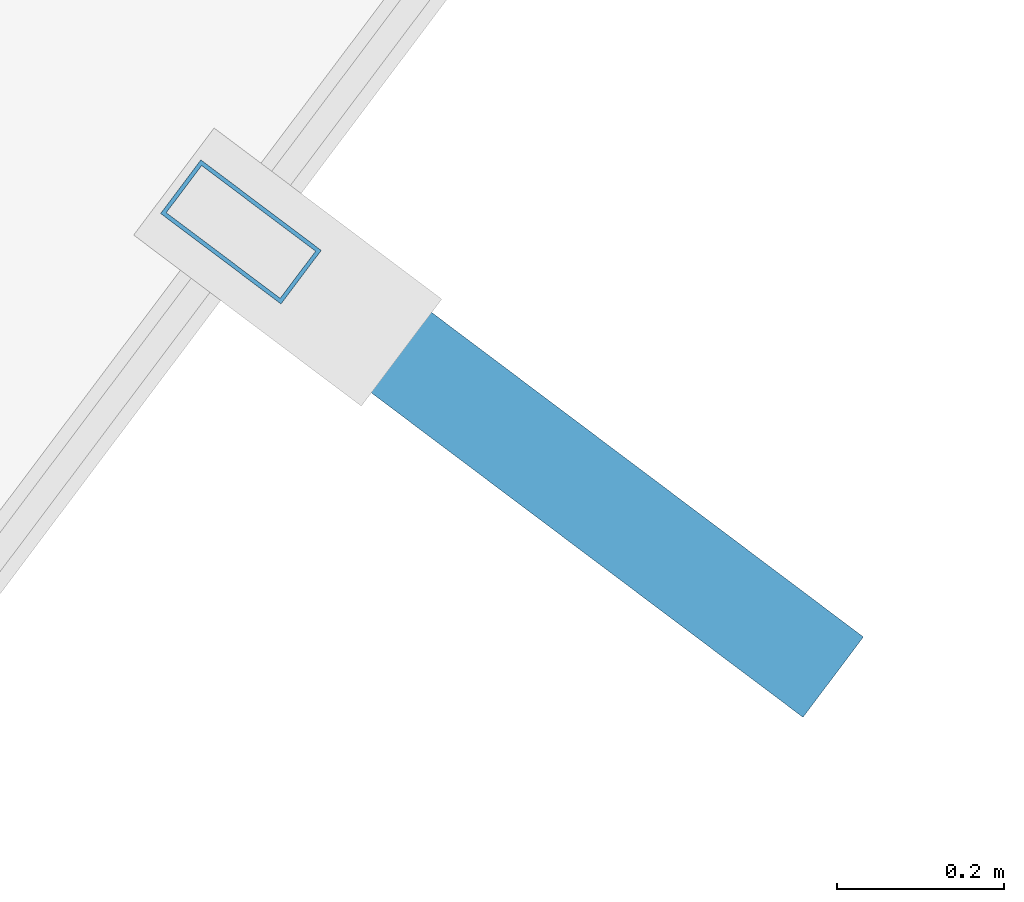
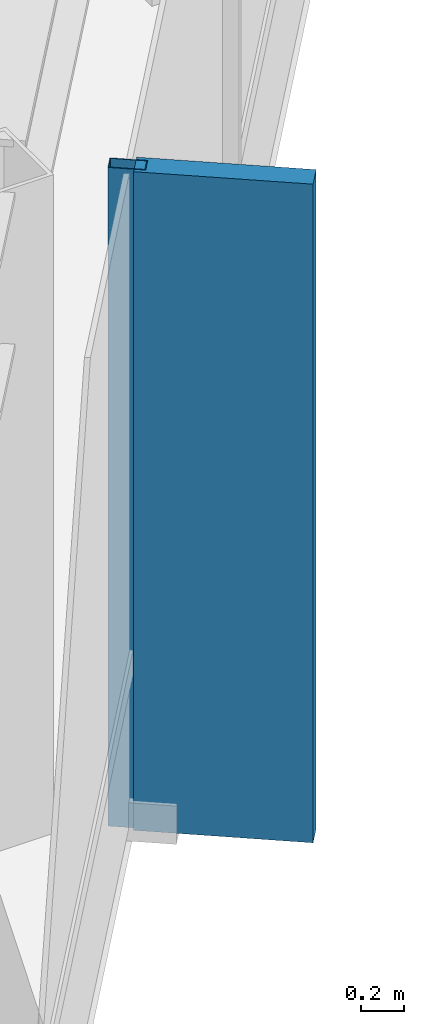
# One storey, part 14 of 21: 2 members, 1 element without a shape of its own.
"""IFC4 building model written with IfcOpenShell, lengths in metres."""

from ifc_helpers import new_model, si_unit, direction, frame, origin, origin_2d, place, context, subcontext, project, spatial, rectangle, hollow_rectangle, extrude, material, layer, layer_set, material_profile, profile_set, type_object, element, aggregate, save


model = new_model("IFC4")

# Units and contexts
model_context = context("Model", 3, precision=1e-05, world=origin(), true_north=direction((0.0, 1.0)))
body_context = subcontext(model_context, "Body", "Model", "MODEL_VIEW")
ifc_project = project(units=[si_unit("LENGTHUNIT", "METRE"), si_unit("AREAUNIT", "SQUARE_METRE"), si_unit("VOLUMEUNIT", "CUBIC_METRE"), si_unit("PLANEANGLEUNIT", "RADIAN"), si_unit("MASSUNIT", "GRAM", prefix="KILO")], contexts=[model_context])

# Site, building, storey
site_placement = place(None, origin())
site = spatial("IfcSite", under=ifc_project, at=site_placement, CompositionType="ELEMENT")
building_placement = place(site_placement, origin())
building = spatial("IfcBuilding", under=site, at=building_placement, Name="Zarrinselat Tower", CompositionType="ELEMENT")
storey_placement = place(building_placement, frame((0.0, 0.0, 299.199951171875)))
storey = spatial("IfcBuildingStorey", under=building, at=storey_placement, Name="L77", CompositionType="ELEMENT", Elevation=299.199951171875)

# Curtain wall, members
ifc_material_1 = material(Name="Extruded Aluminium Alloy EN AW-6063 T6", Category="aluminium")
ifc_layer = layer(ifc_material_1, 0.199951171875)
ifc_layer_set = layer_set([ifc_layer], Name="Extruded Aluminium Alloy EN AW-6063 T6")
curtain_wall_type = type_object("IfcCurtainWallType", Name="CWS-BLADE", PredefinedType="NOTDEFINED", material=ifc_layer_set)
curtain_wall_placement = place(storey_placement, origin())
curtain_wall = element("IfcCurtainWall", 1, at=curtain_wall_placement, inside=storey, type_object=curtain_wall_type, Name="L77 Unitised Curtain Wall CW-L77-E05", PredefinedType="NOTDEFINED")
ifc_material_2 = material(Name="Extruded Aluminium Alloy EN AW-6063 T6", Category="aluminium")
ifc_material_profile_1 = material_profile(ifc_material_2, hollow_rectangle(XDim=0.080078125, YDim=0.179931640625, WallThickness=0.0048828125, at=origin_2d()), Name="RHS 180x80x5")
ifc_profile_set_1 = profile_set([ifc_material_profile_1], Name="Extruded Aluminium Alloy EN AW-6063 T6")
member_type_1 = type_object("IfcMemberType", Name="MEM-CW-MUL", PredefinedType="MULLION", material=ifc_profile_set_1)
member_1_placement = place(storey_placement, frame((50.468994140625, 32.3251953125, 0.0), z_axis=(0.0, 0.0, 1.0), x_axis=(0.600848494465, 0.799362925522, 0.0)))
member_1 = element("IfcMember", 2, at=member_1_placement, type_object=member_type_1, Name="CW-L77-E05 Mullion 5", PredefinedType="MULLION", context=body_context, shape_type="SweptSolid", body=[
    extrude(hollow_rectangle(XDim=0.080078125, YDim=0.179931640625, WallThickness=0.0048828125, at=origin_2d()), origin(), (0.0, 0.0, 1.0), 3.780029296875),
])
ifc_material_3 = material(Name="Honed Cream Travertine Stone", Category="masonry")
ifc_material_profile_2 = material_profile(ifc_material_3, rectangle(XDim=0.1201171875, YDim=0.85009765625, at=origin_2d()), Name="FIN 850x120")
ifc_profile_set_2 = profile_set([ifc_material_profile_2], Name="Honed Cream Travertine Stone")
member_type_2 = type_object("IfcMemberType", Name="MEM-STONE-FIN", PredefinedType="USERDEFINED", material=ifc_profile_set_2)
member_2_placement = place(storey_placement, frame((50.836669921875, 32.048828125, 0.0), z_axis=(0.0, 0.0, 1.0), x_axis=(-0.600848494465, -0.799362925522, 0.0)))
member_2 = element("IfcMember", 3, at=member_2_placement, type_object=member_type_2, Name="L77 Stone Shading Fin CW-L77-E05-05", ObjectType="FIN", PredefinedType="USERDEFINED", context=body_context, shape_type="SweptSolid", body=[
    extrude(rectangle(XDim=0.1201171875, YDim=0.85009765625, at=origin_2d()), origin(), (0.0, 0.0, 1.0), 3.780029296875),
])
aggregate(curtain_wall, [member_1, member_2])

save(model, "model.ifc")
